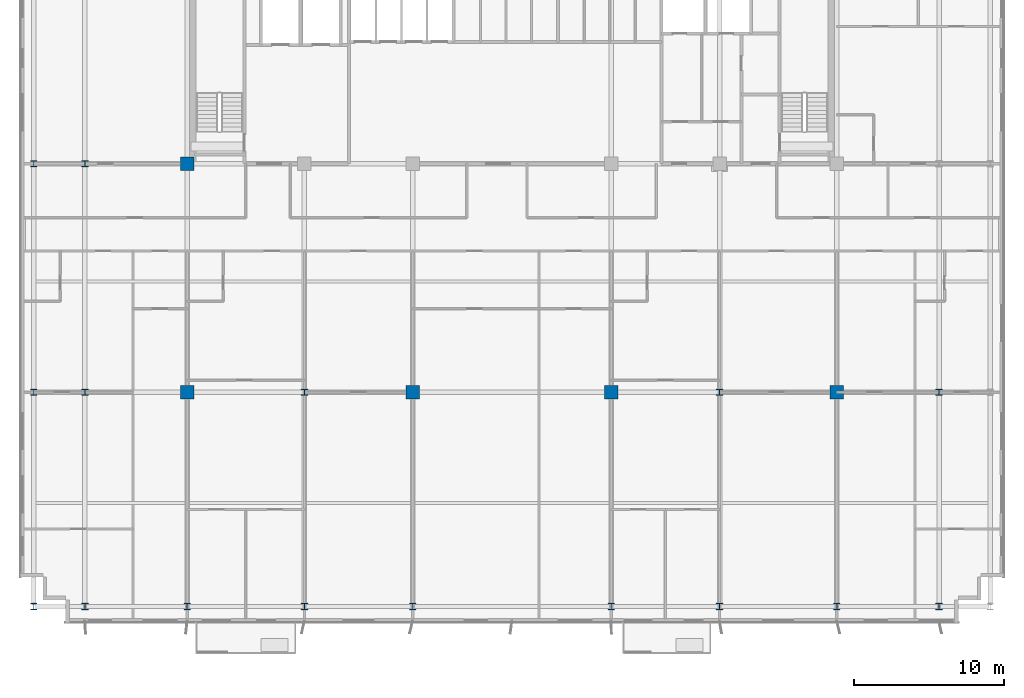
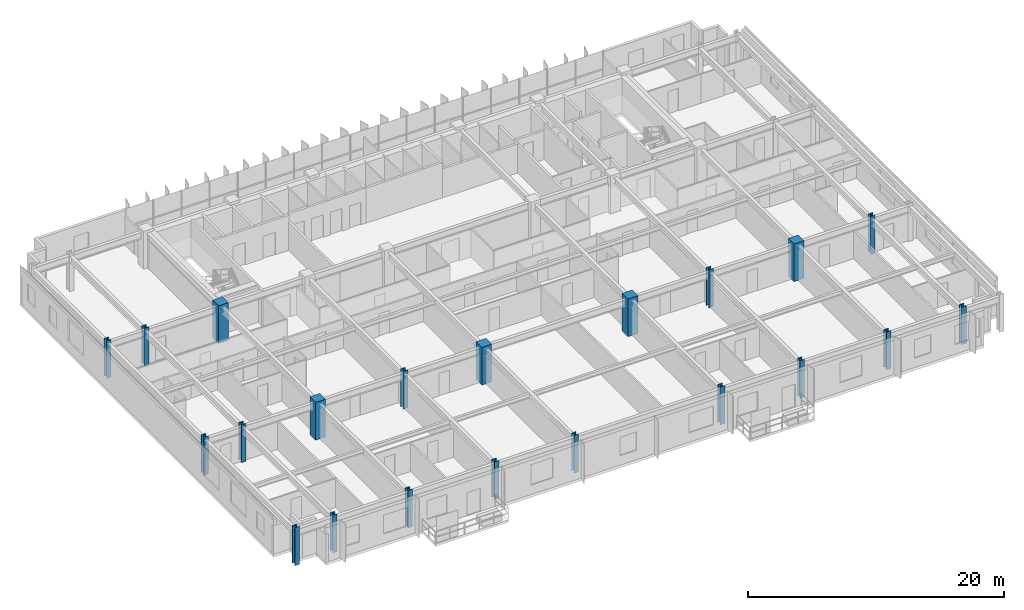
# One storey, part 1 of 22: 21 columns.
"""IFC4 building model written with IfcOpenShell, lengths in metres."""

from ifc_helpers import new_model, si_unit, direction, frame, origin, origin_2d, place, context, subcontext, project, spatial, rectangle, i_section, extrude, source, transform, mapped, material, material_profile, profile_set, type_object, element, save


model = new_model("IFC4")

# Units and contexts
model_context = context("Model", 3, precision=1e-05, world=origin(), true_north=direction((0.0, 1.0)))
body_context = subcontext(model_context, "Body", "Model", "MODEL_VIEW")
ifc_project = project(units=[si_unit("LENGTHUNIT", "METRE"), si_unit("AREAUNIT", "SQUARE_METRE"), si_unit("VOLUMEUNIT", "CUBIC_METRE"), si_unit("PLANEANGLEUNIT", "RADIAN"), si_unit("MASSUNIT", "GRAM", prefix="KILO")], contexts=[model_context])

# Site, building, storey
site_placement = place(None, origin())
site = spatial("IfcSite", under=ifc_project, at=site_placement, CompositionType="ELEMENT")
building_placement = place(site_placement, origin())
building = spatial("IfcBuilding", under=site, at=building_placement, Name="Trelvane Seafront Commons", CompositionType="ELEMENT")
storey_placement = place(building_placement, frame((0.0, 0.0, 45.10009765625)))
storey = spatial("IfcBuildingStorey", under=building, at=storey_placement, Name="L11", CompositionType="ELEMENT", Elevation=45.10009765625)

# Columns
ifc_material_1 = material(Name="Steel SM355 (S355)", Category="steel")
ifc_material_profile_1 = material_profile(ifc_material_1, i_section(OverallWidth=0.419921875, OverallDepth=0.419921875, WebThickness=0.02587890625, FlangeThickness=0.0400390625, at=origin_2d()), Name="HD-420x420x26x40")
ifc_profile_set_1 = profile_set([ifc_material_profile_1], Name="Steel SM355 (S355)")
column_type_1 = type_object("IfcColumnType", Name="STR-COL-HD420", PredefinedType="COLUMN", material=ifc_profile_set_1)
shared_shape_1 = source(origin(), body_context, "Body", "SweptSolid", [
    extrude(i_section(OverallWidth=0.419921875, OverallDepth=0.419921875, WebThickness=0.02587890625, FlangeThickness=0.0400390625, at=origin_2d()), origin(), (0.0, 0.0, 1.0), 3.599853515625),
])
for number, where, z_axis, x_axis, name in (
    (1, (5.39990234375, 3.949951171875, 0.0), (0.0, 0.0, 1.0), (1.0, 0.0, 0.0), "L11 Column TC-S5.4"),
    (2, (5.39990234375, 18.199951171875, 0.0), (0.0, 0.0, 1.0), (1.0, 0.0, 0.0), "L11 Column TC-M5.4"),
    (3, (5.39990234375, 33.39990234375, 0.0), (0.0, 0.0, 1.0), (1.0, 0.0, 0.0), "L11 Column TC-CS5.4"),
    (4, (8.800048828125, 3.949951171875, 0.0), (0.0, 0.0, 1.0), (1.0, 0.0, 0.0), "L11 Column TC-S8.8"),
    (5, (8.800048828125, 18.199951171875, 0.0), (0.0, 0.0, 1.0), (1.0, 0.0, 0.0), "L11 Column TC-M8.8"),
    (6, (8.800048828125, 33.39990234375, 0.0), (0.0, 0.0, 1.0), (1.0, 0.0, 0.0), "L11 Column TC-CS8.8"),
    (7, (15.60009765625, 3.949951171875, 0.0), (0.0, 0.0, 1.0), (1.0, 0.0, 0.0), "L11 Column TC-S15.6"),
    (8, (23.39990234375, 3.949951171875, 0.0), (0.0, 0.0, 1.0), (1.0, 0.0, 0.0), "L11 Column TC-S23.4"),
    (9, (23.39990234375, 18.199951171875, 0.0), (0.0, 0.0, 1.0), (1.0, 0.0, 0.0), "L11 Column TC-M23.4"),
    (10, (30.60009765625, 3.949951171875, 0.0), (0.0, 0.0, 1.0), (1.0, 0.0, 0.0), "L11 Column TC-S30.6"),
    (11, (43.800048828125, 3.949951171875, 0.0), (0.0, 0.0, 1.0), (1.0, 0.0, 0.0), "L11 Column TC-S43.8"),
    (12, (51.0, 3.949951171875, 0.0), (0.0, 0.0, 1.0), (1.0, 0.0, 0.0), "L11 Column TC-S51.0"),
    (13, (51.0, 18.199951171875, 0.0), (0.0, 0.0, 1.0), (1.0, 0.0, 0.0), "L11 Column TC-M51.0"),
    (14, (58.800048828125, 3.949951171875, 0.0), (0.0, 0.0, 1.0), (1.0, 0.0, 0.0), "L11 Column TC-S58.8"),
    (15, (65.60009765625, 3.949951171875, 0.0), (0.0, 0.0, 1.0), (1.0, 0.0, 0.0), "L11 Column TC-S65.6"),
    (16, (65.60009765625, 18.199951171875, 0.0), (0.0, 0.0, 1.0), (1.0, 0.0, 0.0), "L11 Column TC-M65.6"),
):
    element("IfcColumn", number, at=place(storey_placement, frame(where, z_axis=z_axis, x_axis=x_axis)), inside=storey, type_object=column_type_1, Name=name, PredefinedType="COLUMN", context=body_context, shape_type="MappedRepresentation", body=[
        mapped(shared_shape_1, transform((0.0, 0.0, 0.0), x_axis=(1.0, 0.0, 0.0), y_axis=(0.0, 1.0, 0.0), z_axis=(0.0, 0.0, 1.0), scale=1.0)),
    ])
ifc_material_2 = material(Name="Concrete C60/75", Category="concrete")
ifc_material_profile_2 = material_profile(ifc_material_2, rectangle(XDim=0.89990234375, YDim=0.89990234375, at=origin_2d()), Name="RC-900x900")
ifc_profile_set_2 = profile_set([ifc_material_profile_2], Name="Concrete C60/75")
column_type_2 = type_object("IfcColumnType", Name="STR-COL-RC900", PredefinedType="COLUMN", material=ifc_profile_set_2)
shared_shape_2 = source(origin(), body_context, "Body", "SweptSolid", [
    extrude(rectangle(XDim=0.89990234375, YDim=0.89990234375, at=origin_2d()), origin(), (0.0, 0.0, 1.0), 3.599853515625),
])
for number, where, z_axis, x_axis, name in (
    (17, (15.60009765625, 18.199951171875, 0.0), (0.0, 0.0, 1.0), (1.0, 0.0, 0.0), "L11 Column TC-M15.6"),
    (18, (15.60009765625, 33.39990234375, 0.0), (0.0, 0.0, 1.0), (1.0, 0.0, 0.0), "L11 Column TC-CS15.6"),
    (19, (30.60009765625, 18.199951171875, 0.0), (0.0, 0.0, 1.0), (1.0, 0.0, 0.0), "L11 Column TC-M30.6"),
    (20, (43.800048828125, 18.199951171875, 0.0), (0.0, 0.0, 1.0), (1.0, 0.0, 0.0), "L11 Column TC-M43.8"),
    (21, (58.800048828125, 18.199951171875, 0.0), (0.0, 0.0, 1.0), (1.0, 0.0, 0.0), "L11 Column TC-M58.8"),
):
    element("IfcColumn", number, at=place(storey_placement, frame(where, z_axis=z_axis, x_axis=x_axis)), inside=storey, type_object=column_type_2, Name=name, PredefinedType="COLUMN", context=body_context, shape_type="MappedRepresentation", body=[
        mapped(shared_shape_2, transform((0.0, 0.0, 0.0), x_axis=(1.0, 0.0, 0.0), y_axis=(0.0, 1.0, 0.0), z_axis=(0.0, 0.0, 1.0), scale=1.0)),
    ])

save(model, "model.ifc")
